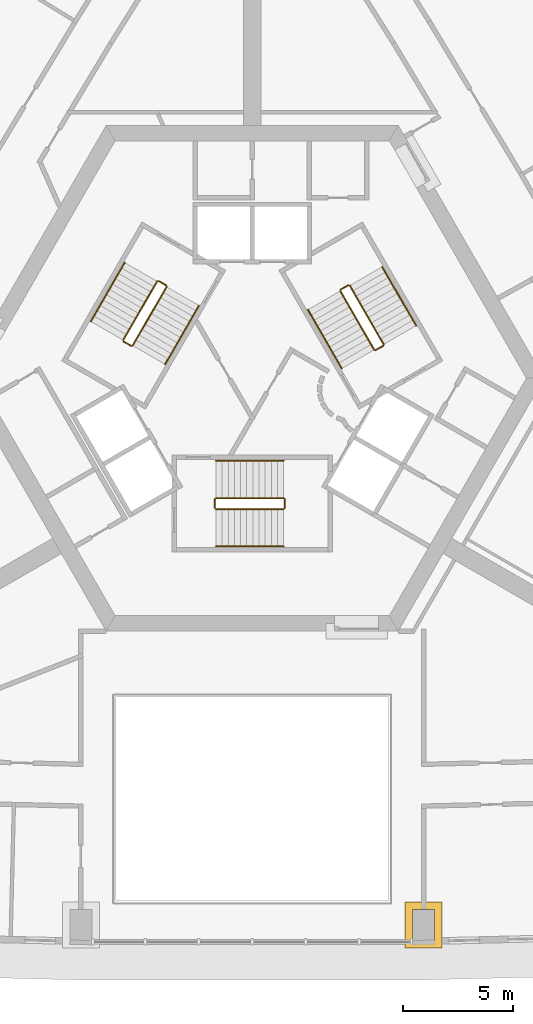
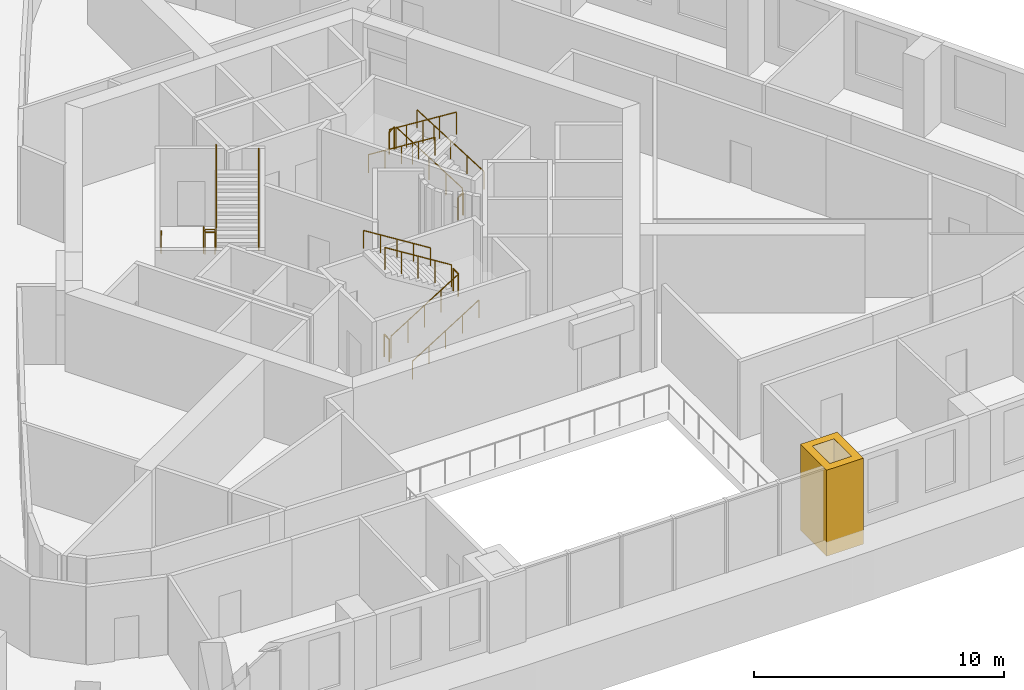
# One storey, part 12 of 13: 18 railings, 1 covering.
"""IFC4 building model written with IfcOpenShell, lengths in metres."""

import ifcopenshell
import ifcopenshell.guid

model = None  # the IFC model being written
_history = None  # IfcOwnerHistory: only IFC2X3 demands one
_inside = {}  # id of a spatial element -> (the spatial element, [elements in it])
_under = {}  # id of a project, library or spatial element -> (it, [spatial elements below it])
_declared = {}  # id of a project -> (the project, [libraries it declares])
_typed = {}  # id of a type object -> (the type object, [elements of that type])
_made_of = {}  # id of a material, layer set ... -> (it, [elements and type objects made of it])


def new_model(schema):
    """Start an empty IFC model of exactly this schema.

    Asked for "IFC4X3", IfcOpenShell would pick the latest addendum, in which some entities
    have other attributes; the version numbers below select the first issue.
    IFC2X3 requires an IfcOwnerHistory on every rooted entity: one is made here for all.
    """
    global model, _history
    if schema == "IFC4X3":
        model = ifcopenshell.file(schema_version=(4, 3, 0, 0))
    else:
        model = ifcopenshell.file(schema=schema)
    _inside.clear()
    _under.clear()
    _declared.clear()
    _typed.clear()
    _made_of.clear()
    _history = None
    if model.schema == "IFC2X3":
        org = make("IfcOrganization", Name="unknown")
        user = make(
            "IfcPersonAndOrganization",
            ThePerson=make("IfcPerson", FamilyName="unknown"),
            TheOrganization=org,
        )
        app = make(
            "IfcApplication",
            ApplicationDeveloper=org,
            Version="unknown",
            ApplicationFullName="unknown",
            ApplicationIdentifier="unknown",
        )
        _history = make(
            "IfcOwnerHistory",
            OwningUser=user,
            OwningApplication=app,
            ChangeAction="ADDED",
            CreationDate=0,
        )
    return model


def make(cls, **values):
    """One entity of the class cls with the attributes given. An attribute that is None is left unset."""
    return model.create_entity(
        cls, **{name: value for name, value in values.items() if value is not None}
    )


def rooted(cls, **values):
    """An entity with a GlobalId (a new one), such as an element, a storey or a relation."""
    return make(cls, GlobalId=ifcopenshell.guid.new(), OwnerHistory=_history, **values)


def si_unit(unit_type, name, prefix=None):
    """IfcSIUnit, for example si_unit("LENGTHUNIT", "METRE", prefix="MILLI")."""
    return make("IfcSIUnit", UnitType=unit_type, Prefix=prefix, Name=name)


def assignment(units):
    """IfcUnitAssignment: the units of a project."""
    return None if units is None else make("IfcUnitAssignment", Units=units)


def point(xyz):
    """IfcCartesianPoint."""
    return None if xyz is None else make("IfcCartesianPoint", Coordinates=xyz)


def direction(xyz):
    """IfcDirection."""
    return None if xyz is None else make("IfcDirection", DirectionRatios=xyz)


def frame(location, z_axis=None, x_axis=None):
    """IfcAxis2Placement3D, a coordinate frame: its origin and axes. An axis left out is left unset."""
    return make(
        "IfcAxis2Placement3D",
        Location=point(location),
        Axis=direction(z_axis),
        RefDirection=direction(x_axis),
    )


def frame_2d(location, x_axis=None):
    """IfcAxis2Placement2D, a coordinate frame in the plane: its origin and x axis."""
    return make(
        "IfcAxis2Placement2D", Location=point(location), RefDirection=direction(x_axis)
    )


def origin():
    """The frame at (0, 0, 0) with its axes left unset."""
    return frame((0.0, 0.0, 0.0))


def origin_2d():
    """The frame at (0, 0) in the plane with its x axis left unset."""
    return frame_2d((0.0, 0.0))


def place(relative_to, where):
    """IfcLocalPlacement: puts the frame where relative to a parent placement (None: the world)."""
    return make(
        "IfcLocalPlacement", PlacementRelTo=relative_to, RelativePlacement=where
    )


def context(
    kind, dimensions, precision=None, world=None, true_north=None, identifier=None
):
    """IfcGeometricRepresentationContext, for example the 3D "Model" context."""
    return make(
        "IfcGeometricRepresentationContext",
        ContextIdentifier=identifier,
        ContextType=kind,
        CoordinateSpaceDimension=dimensions,
        Precision=precision,
        WorldCoordinateSystem=world,
        TrueNorth=true_north,
    )


def subcontext(parent, identifier, kind, view, scale=None):
    """IfcGeometricRepresentationSubContext, for example "Body" below "Model"."""
    return make(
        "IfcGeometricRepresentationSubContext",
        ContextIdentifier=identifier,
        ContextType=kind,
        ParentContext=parent,
        TargetScale=scale,
        TargetView=view,
    )


def project(units=None, contexts=None):
    """IfcProject with its units and contexts."""
    return rooted(
        "IfcProject",
        Name="project",
        RepresentationContexts=contexts,
        UnitsInContext=assignment(units),
    )


def spatial(cls, under=None, at=None, **own):
    """A site, building, storey or space (cls), placed at a placement, below another one or the project."""
    s = rooted(cls, ObjectPlacement=at, **own)
    if under is not None:
        _under.setdefault(under.id(), (under, []))[1].append(s)
    return s


def polyline(points):
    """IfcPolyline through the points."""
    return make("IfcPolyline", Points=[point(p) for p in points])


def profile(cls, at=None, kind="AREA", **sizes):
    """A parametric profile (cls). Its sizes go by their IFC names, for example OverallWidth=200.0."""
    return make(cls, ProfileType=kind, Position=at, **sizes)


def circle(**sizes):
    """IfcCircleProfileDef."""
    return profile("IfcCircleProfileDef", **sizes)


def outline(outer, holes=None, kind="AREA"):
    """IfcArbitraryClosedProfileDef: a profile drawn as a closed curve; with holes, ...WithVoids."""
    if holes is None:
        return make("IfcArbitraryClosedProfileDef", ProfileType=kind, OuterCurve=outer)
    return make(
        "IfcArbitraryProfileDefWithVoids",
        ProfileType=kind,
        OuterCurve=outer,
        InnerCurves=holes,
    )


def extrude(swept, where, along, depth):
    """IfcExtrudedAreaSolid: the profile swept, set in the frame where, extruded along a direction by depth."""
    return make(
        "IfcExtrudedAreaSolid",
        SweptArea=swept,
        Position=where,
        ExtrudedDirection=direction(along),
        Depth=depth,
    )


def shape(context_of_items, identifier, shape_type, items):
    """IfcShapeRepresentation: the items that make up one representation, for example the "Body"."""
    return make(
        "IfcShapeRepresentation",
        ContextOfItems=context_of_items,
        RepresentationIdentifier=identifier,
        RepresentationType=shape_type,
        Items=items,
    )


def material(Name=None, Category=None):
    """IfcMaterial."""
    return make("IfcMaterial", Name=Name, Category=Category)


def made_of(thing, what):
    """Note that an element or type object is made of a material, layer set ...; save() writes the relation."""
    if what is not None:
        _made_of.setdefault(what.id(), (what, []))[1].append(thing)
    return thing


def type_object(cls, material=None, **own):
    """A type object (cls), such as IfcWallType, which elements share."""
    return made_of(rooted(cls, **own), material)


def element(
    cls,
    number,
    at=None,
    inside=None,
    cuts=None,
    type_object=None,
    material=None,
    context=None,
    identifier="Body",
    shape_type=None,
    held_by="IfcProductDefinitionShape",
    body=None,
    shapes=None,
    **own,
):
    """One element of the class cls, such as IfcWall. Its Tag is "e" and its number.

    at: its placement. inside: the storey or other place that contains it. cuts: it is an
    opening in that element (IfcRelVoidsElement). A single representation is given by context,
    identifier, shape_type and body (its items); several are given by shapes. held_by: the class
    of the entity that holds the representations. save() writes the other relations.
    """
    e = rooted(cls, Tag="e%d" % number, ObjectPlacement=at, **own)
    if body is not None:
        shapes = [shape(context, identifier, shape_type, body)]
    if shapes is not None:
        e.Representation = make(held_by, Representations=shapes)
    if inside is not None:
        _inside.setdefault(inside.id(), (inside, []))[1].append(e)
    if cuts is not None:
        rooted(
            "IfcRelVoidsElement", RelatingBuildingElement=cuts, RelatedOpeningElement=e
        )
    if type_object is not None:
        _typed.setdefault(type_object.id(), (type_object, []))[1].append(e)
    return made_of(e, material)


def aggregate(whole, parts):
    """IfcRelAggregates: a whole, such as a stair, and the parts it consists of."""
    return rooted("IfcRelAggregates", RelatingObject=whole, RelatedObjects=parts)


def save(model, path):
    """Write the relations noted so far, then the file.

    IfcRelAggregates (storeys below a building ...), IfcRelContainedInSpatialStructure (elements
    in a storey), IfcRelDefinesByType, IfcRelAssociatesMaterial and IfcRelDeclares: one each for
    every whole, place, type object, material and project.
    """
    for whole, parts in _under.values():
        aggregate(whole, parts)
    for where, things in _inside.values():
        rooted(
            "IfcRelContainedInSpatialStructure",
            RelatedElements=things,
            RelatingStructure=where,
        )
    for kind, things in _typed.values():
        rooted("IfcRelDefinesByType", RelatedObjects=things, RelatingType=kind)
    for what, things in _made_of.values():
        rooted("IfcRelAssociatesMaterial", RelatedObjects=things, RelatingMaterial=what)
    for by, libraries in _declared.values():
        rooted("IfcRelDeclares", RelatingContext=by, RelatedDefinitions=libraries)
    model.write(path)


model = new_model("IFC4")

# Units and contexts
model_context = context("Model", 3, precision=1e-05, world=origin(), true_north=direction((0.0, 1.0)))
body_context = subcontext(model_context, "Body", "Model", "MODEL_VIEW")
ifc_project = project(units=[si_unit("LENGTHUNIT", "METRE"), si_unit("AREAUNIT", "SQUARE_METRE"), si_unit("VOLUMEUNIT", "CUBIC_METRE"), si_unit("PLANEANGLEUNIT", "RADIAN"), si_unit("MASSUNIT", "GRAM", prefix="KILO")], contexts=[model_context])

# Site, building, storey
site_placement = place(None, origin())
site = spatial("IfcSite", under=ifc_project, at=site_placement, CompositionType="ELEMENT")
building_placement = place(site_placement, origin())
building = spatial("IfcBuilding", under=site, at=building_placement, Name="Entoto Arch Interchange Tower", CompositionType="ELEMENT")
storey_placement = place(building_placement, frame((0.0, 0.0, 219.199951171875)))
storey = spatial("IfcBuildingStorey", under=building, at=storey_placement, Name="L49", CompositionType="ELEMENT", Elevation=219.199951171875)

# Covering
ifc_material_1 = material(Name="Board-marked precast concrete C50/60", Category="concrete")
covering_type = type_object("IfcCoveringType", Name="PRECAST FRAME COURSE", PredefinedType="CLADDING", material=ifc_material_1)
covering_placement = place(storey_placement, frame((0.0, 0.0, -0.39990234375)))
element("IfcCovering", 1, at=covering_placement, inside=storey, type_object=covering_type, Name="Gate pier L49", PredefinedType="CLADDING", context=body_context, shape_type="SweptSolid", body=[
    extrude(outline(polyline([(6.93798828125, -21.31103515625), (8.637939453125, -21.31103515625), (8.637939453125, -23.410888671875), (6.93798828125, -23.410888671875), (6.93798828125, -21.31103515625)]), holes=[polyline([(7.2880859375, -21.660888671875), (7.2880859375, -23.06103515625), (8.2880859375, -23.06103515625), (8.2880859375, -21.660888671875), (7.2880859375, -21.660888671875)])]), origin(), (0.0, 0.0, 1.0), 4.199951171875),
])

# Railings
ifc_material_2 = material(Name="Stainless steel 1.4301", Category="steel")
railing_type_1 = type_object("IfcRailingType", Name="STAIR GUARD 1100 STEEL", PredefinedType="GUARDRAIL", material=ifc_material_2)
railing_1_placement = place(storey_placement, frame((-1.64990234375, -3.449951171875, 0.175048828125)))
element("IfcRailing", 2, at=railing_1_placement, inside=storey, type_object=railing_type_1, Name="L49 ST-S stair guard 1", PredefinedType="GUARDRAIL", context=body_context, shape_type="SweptSolid", body=[
    extrude(circle(Radius=0.02392578125, at=origin_2d()), frame((0.0, 0.0, 1.076171875), z_axis=(0.847979421464, 0.0, 0.530029150871), x_axis=(0.0, 1.0, 0.0)), (0.0, 0.0, 1.0), 3.632080078125),
    extrude(circle(Radius=0.02099609375, at=origin_2d()), origin(), (0.0, 0.0, 1.0), 1.052001953125),
    extrude(circle(Radius=0.02099609375, at=origin_2d()), frame((0.77001953125, 0.0, 0.481201171875)), (0.0, 0.0, 1.0), 1.052001953125),
    extrude(circle(Radius=0.02099609375, at=origin_2d()), frame((1.5400390625, 0.0, 0.96240234375)), (0.0, 0.0, 1.0), 1.052001953125),
    extrude(circle(Radius=0.02099609375, at=origin_2d()), frame((2.309814453125, 0.0, 1.44384765625)), (0.0, 0.0, 1.0), 1.052001953125),
    extrude(circle(Radius=0.02099609375, at=origin_2d()), frame((3.079833984375, 0.0, 1.925048828125)), (0.0, 0.0, 1.0), 1.052001953125),
])
railing_2_placement = place(storey_placement, frame((1.47998046875, -3.39990234375, 2.10009765625)))
element("IfcRailing", 3, at=railing_2_placement, inside=storey, type_object=railing_type_1, Name="L49 ST-S stair guard 2", PredefinedType="GUARDRAIL", context=body_context, shape_type="SweptSolid", body=[
    extrude(circle(Radius=0.02392578125, at=origin_2d()), frame((0.0, 0.0, 1.076171875), z_axis=(0.0, 1.0, 0.0), x_axis=(-1.0, 0.0, 0.0)), (0.0, 0.0, 1.0), 0.39990234375),
    extrude(circle(Radius=0.02099609375, at=origin_2d()), origin(), (0.0, 0.0, 1.0), 1.052001953125),
    extrude(circle(Radius=0.02099609375, at=origin_2d()), frame((0.0, 0.39990234375, 0.0)), (0.0, 0.0, 1.0), 1.052001953125),
])
railing_3_placement = place(storey_placement, frame((1.429931640625, -2.949951171875, 2.275146484375)))
element("IfcRailing", 4, at=railing_3_placement, inside=storey, type_object=railing_type_1, Name="L49 ST-S stair guard 3", PredefinedType="GUARDRAIL", context=body_context, shape_type="SweptSolid", body=[
    extrude(circle(Radius=0.02392578125, at=origin_2d()), frame((0.0, 0.0, 1.076171875), z_axis=(-0.848009633417, 0.0, 0.529980812513), x_axis=(0.0, -1.0, 0.0)), (0.0, 0.0, 1.0), 3.6318359375),
    extrude(circle(Radius=0.02099609375, at=origin_2d()), origin(), (0.0, 0.0, 1.0), 1.052001953125),
    extrude(circle(Radius=0.02099609375, at=origin_2d()), frame((-0.77001953125, 0.0, 0.481201171875)), (0.0, 0.0, 1.0), 1.052001953125),
    extrude(circle(Radius=0.02099609375, at=origin_2d()), frame((-1.5400390625, 0.0, 0.96240234375)), (0.0, 0.0, 1.0), 1.052001953125),
    extrude(circle(Radius=0.02099609375, at=origin_2d()), frame((-2.309814453125, 0.0, 1.443603515625)), (0.0, 0.0, 1.0), 1.052001953125),
    extrude(circle(Radius=0.02099609375, at=origin_2d()), frame((-3.079833984375, 0.0, 1.9248046875)), (0.0, 0.0, 1.0), 1.052001953125),
])
railing_4_placement = place(storey_placement, frame((-1.699951171875, -3.39990234375, 0.0)))
element("IfcRailing", 5, at=railing_4_placement, inside=storey, type_object=railing_type_1, Name="L49 ST-S stair guard 4", PredefinedType="GUARDRAIL", context=body_context, shape_type="SweptSolid", body=[
    extrude(circle(Radius=0.02392578125, at=origin_2d()), frame((0.0, 0.0, 1.076171875), z_axis=(0.0, 1.0, 0.0), x_axis=(-1.0, 0.0, 0.0)), (0.0, 0.0, 1.0), 0.39990234375),
    extrude(circle(Radius=0.02099609375, at=origin_2d()), origin(), (0.0, 0.0, 1.0), 1.052001953125),
    extrude(circle(Radius=0.02099609375, at=origin_2d()), frame((0.0, 0.39990234375, 0.0)), (0.0, 0.0, 1.0), 1.052001953125),
])
railing_5_placement = place(storey_placement, frame((5.977783203125, 4.046142578125, 0.175048828125)))
element("IfcRailing", 6, at=railing_5_placement, inside=storey, type_object=railing_type_1, Name="L49 ST-NE stair guard 1", PredefinedType="GUARDRAIL", context=body_context, shape_type="SweptSolid", body=[
    extrude(circle(Radius=0.02392578125, at=origin_2d()), frame((0.0, 0.0, 1.076171875), z_axis=(-0.424015404183, 0.734364028329, 0.530019255228), x_axis=(-0.866010015463, -0.500026652407, 0.0)), (0.0, 0.0, 1.0), 3.632080078125),
    extrude(circle(Radius=0.02099609375, at=origin_2d()), origin(), (0.0, 0.0, 1.0), 1.052001953125),
    extrude(circle(Radius=0.02099609375, at=origin_2d()), frame((-0.385009765625, 0.666748046875, 0.481201171875)), (0.0, 0.0, 1.0), 1.052001953125),
    extrude(circle(Radius=0.02099609375, at=origin_2d()), frame((-0.77001953125, 1.33349609375, 0.96240234375)), (0.0, 0.0, 1.0), 1.052001953125),
    extrude(circle(Radius=0.02099609375, at=origin_2d()), frame((-1.155029296875, 2.00048828125, 1.44384765625)), (0.0, 0.0, 1.0), 1.052001953125),
    extrude(circle(Radius=0.02099609375, at=origin_2d()), frame((-1.5400390625, 2.667236328125, 1.925048828125)), (0.0, 0.0, 1.0), 1.052001953125),
])
railing_6_placement = place(storey_placement, frame((4.36962890625, 6.731689453125, 2.10009765625)))
element("IfcRailing", 7, at=railing_6_placement, inside=storey, type_object=railing_type_1, Name="L49 ST-NE stair guard 2", PredefinedType="GUARDRAIL", context=body_context, shape_type="SweptSolid", body=[
    extrude(circle(Radius=0.02392578125, at=origin_2d()), frame((0.0, 0.0, 1.076171875), z_axis=(-0.866094119867, -0.499880961361, 0.0), x_axis=(0.499880961361, -0.866094119867, 0.0)), (0.0, 0.0, 1.0), 0.39990234375),
    extrude(circle(Radius=0.02099609375, at=origin_2d()), origin(), (0.0, 0.0, 1.0), 1.052001953125),
    extrude(circle(Radius=0.02099609375, at=origin_2d()), frame((-0.346435546875, -0.199951171875, 0.0)), (0.0, 0.0, 1.0), 1.052001953125),
])
railing_7_placement = place(storey_placement, frame((4.0048828125, 6.46337890625, 2.275146484375)))
element("IfcRailing", 8, at=railing_7_placement, inside=storey, type_object=railing_type_1, Name="L49 ST-NE stair guard 3", PredefinedType="GUARDRAIL", context=body_context, shape_type="SweptSolid", body=[
    extrude(circle(Radius=0.02392578125, at=origin_2d()), frame((0.0, 0.0, 1.076171875), z_axis=(0.42403051051, -0.734390191396, 0.529970917068), x_axis=(0.866010015463, 0.500026652407, 0.0)), (0.0, 0.0, 1.0), 3.6318359375),
    extrude(circle(Radius=0.02099609375, at=origin_2d()), origin(), (0.0, 0.0, 1.0), 1.052001953125),
    extrude(circle(Radius=0.02099609375, at=origin_2d()), frame((0.385009765625, -0.666748046875, 0.481201171875)), (0.0, 0.0, 1.0), 1.052001953125),
    extrude(circle(Radius=0.02099609375, at=origin_2d()), frame((0.77001953125, -1.33349609375, 0.96240234375)), (0.0, 0.0, 1.0), 1.052001953125),
    extrude(circle(Radius=0.02099609375, at=origin_2d()), frame((1.155029296875, -2.00048828125, 1.443603515625)), (0.0, 0.0, 1.0), 1.052001953125),
    extrude(circle(Radius=0.02099609375, at=origin_2d()), frame((1.5400390625, -2.667236328125, 1.9248046875)), (0.0, 0.0, 1.0), 1.052001953125),
])
railing_8_placement = place(storey_placement, frame((5.95947265625, 3.977783203125, 0.0)))
element("IfcRailing", 9, at=railing_8_placement, inside=storey, type_object=railing_type_1, Name="L49 ST-NE stair guard 4", PredefinedType="GUARDRAIL", context=body_context, shape_type="SweptSolid", body=[
    extrude(circle(Radius=0.02392578125, at=origin_2d()), frame((0.0, 0.0, 1.076171875), z_axis=(-0.866094119867, -0.499880961361, 0.0), x_axis=(0.499880961361, -0.866094119867, 0.0)), (0.0, 0.0, 1.0), 0.39990234375),
    extrude(circle(Radius=0.02099609375, at=origin_2d()), origin(), (0.0, 0.0, 1.0), 1.052001953125),
    extrude(circle(Radius=0.02099609375, at=origin_2d()), frame((-0.346435546875, -0.199951171875, 0.0)), (0.0, 0.0, 1.0), 1.052001953125),
])
railing_9_placement = place(storey_placement, frame((-4.327880859375, 6.904052734375, 0.175048828125)))
element("IfcRailing", 10, at=railing_9_placement, inside=storey, type_object=railing_type_1, Name="L49 ST-NW stair guard 1", PredefinedType="GUARDRAIL", context=body_context, shape_type="SweptSolid", body=[
    extrude(circle(Radius=0.02392578125, at=origin_2d()), frame((0.0, 0.0, 1.076171875), z_axis=(-0.423994474112, -0.734394994316, 0.52999309264), x_axis=(0.866029832698, -0.499992328818, 0.0)), (0.0, 0.0, 1.0), 3.63232421875),
    extrude(circle(Radius=0.02099609375, at=origin_2d()), origin(), (0.0, 0.0, 1.0), 1.052001953125),
    extrude(circle(Radius=0.02099609375, at=origin_2d()), frame((-0.385009765625, -0.6669921875, 0.481201171875)), (0.0, 0.0, 1.0), 1.052001953125),
    extrude(circle(Radius=0.02099609375, at=origin_2d()), frame((-0.77001953125, -1.333740234375, 0.96240234375)), (0.0, 0.0, 1.0), 1.052001953125),
    extrude(circle(Radius=0.02099609375, at=origin_2d()), frame((-1.155029296875, -2.00048828125, 1.44384765625)), (0.0, 0.0, 1.0), 1.052001953125),
    extrude(circle(Radius=0.02099609375, at=origin_2d()), frame((-1.5400390625, -2.66748046875, 1.925048828125)), (0.0, 0.0, 1.0), 1.052001953125),
])
railing_10_placement = place(storey_placement, frame((-5.849609375, 4.168212890625, 2.10009765625)))
element("IfcRailing", 11, at=railing_10_placement, inside=storey, type_object=railing_type_1, Name="L49 ST-NW stair guard 2", PredefinedType="GUARDRAIL", context=body_context, shape_type="SweptSolid", body=[
    extrude(circle(Radius=0.02392578125, at=origin_2d()), frame((0.0, 0.0, 1.076171875), z_axis=(0.866094119867, -0.499880961361, 0.0), x_axis=(0.499880961361, 0.866094119867, 0.0)), (0.0, 0.0, 1.0), 0.39990234375),
    extrude(circle(Radius=0.02099609375, at=origin_2d()), origin(), (0.0, 0.0, 1.0), 1.052001953125),
    extrude(circle(Radius=0.02099609375, at=origin_2d()), frame((0.346435546875, -0.199951171875, 0.0)), (0.0, 0.0, 1.0), 1.052001953125),
])
railing_11_placement = place(storey_placement, frame((-5.434814453125, 3.986572265625, 2.275146484375)))
element("IfcRailing", 12, at=railing_11_placement, inside=storey, type_object=railing_type_1, Name="L49 ST-NW stair guard 3", PredefinedType="GUARDRAIL", context=body_context, shape_type="SweptSolid", body=[
    extrude(circle(Radius=0.02392578125, at=origin_2d()), frame((0.0, 0.0, 1.076171875), z_axis=(0.424009578203, 0.734421155904, 0.529944755001), x_axis=(-0.866029832698, 0.499992328818, 0.0)), (0.0, 0.0, 1.0), 3.632080078125),
    extrude(circle(Radius=0.02099609375, at=origin_2d()), origin(), (0.0, 0.0, 1.0), 1.052001953125),
    extrude(circle(Radius=0.02099609375, at=origin_2d()), frame((0.385009765625, 0.6669921875, 0.481201171875)), (0.0, 0.0, 1.0), 1.052001953125),
    extrude(circle(Radius=0.02099609375, at=origin_2d()), frame((0.77001953125, 1.333740234375, 0.96240234375)), (0.0, 0.0, 1.0), 1.052001953125),
    extrude(circle(Radius=0.02099609375, at=origin_2d()), frame((1.155029296875, 2.00048828125, 1.443603515625)), (0.0, 0.0, 1.0), 1.052001953125),
    extrude(circle(Radius=0.02099609375, at=origin_2d()), frame((1.5400390625, 2.66748046875, 1.9248046875)), (0.0, 0.0, 1.0), 1.052001953125),
])
railing_12_placement = place(storey_placement, frame((-4.259521484375, 6.92236328125, 0.0)))
element("IfcRailing", 13, at=railing_12_placement, inside=storey, type_object=railing_type_1, Name="L49 ST-NW stair guard 4", PredefinedType="GUARDRAIL", context=body_context, shape_type="SweptSolid", body=[
    extrude(circle(Radius=0.02392578125, at=origin_2d()), frame((0.0, 0.0, 1.076171875), z_axis=(0.865829829939, -0.500338590944, 0.0), x_axis=(0.500338590944, 0.865829829939, 0.0)), (0.0, 0.0, 1.0), 0.400146484375),
    extrude(circle(Radius=0.02099609375, at=origin_2d()), origin(), (0.0, 0.0, 1.0), 1.052001953125),
    extrude(circle(Radius=0.02099609375, at=origin_2d()), frame((0.346435546875, -0.2001953125, 0.0)), (0.0, 0.0, 1.0), 1.052001953125),
])
railing_type_2 = type_object("IfcRailingType", Name="STAIR HANDRAIL 900 STEEL", PredefinedType="HANDRAIL", material=ifc_material_2)
railing_13_placement = place(storey_placement, frame((-1.64990234375, -5.14990234375, 0.175048828125)))
element("IfcRailing", 14, at=railing_13_placement, inside=storey, type_object=railing_type_2, Name="L49 ST-S stair handrail 1", PredefinedType="HANDRAIL", context=body_context, shape_type="SweptSolid", body=[
    extrude(circle(Radius=0.02392578125, at=origin_2d()), frame((0.0, 0.0, 0.8759765625), z_axis=(0.847979421464, 0.0, 0.530029150871), x_axis=(0.0, 1.0, 0.0)), (0.0, 0.0, 1.0), 3.632080078125),
    extrude(circle(Radius=0.02099609375, at=origin_2d()), origin(), (0.0, 0.0, 1.0), 0.851806640625),
    extrude(circle(Radius=0.02099609375, at=origin_2d()), frame((0.77001953125, 0.0, 0.481201171875)), (0.0, 0.0, 1.0), 0.851806640625),
    extrude(circle(Radius=0.02099609375, at=origin_2d()), frame((1.5400390625, 0.0, 0.96240234375)), (0.0, 0.0, 1.0), 0.851806640625),
    extrude(circle(Radius=0.02099609375, at=origin_2d()), frame((2.309814453125, 0.0, 1.44384765625)), (0.0, 0.0, 1.0), 0.851806640625),
    extrude(circle(Radius=0.02099609375, at=origin_2d()), frame((3.079833984375, 0.0, 1.925048828125)), (0.0, 0.0, 1.0), 0.851806640625),
])
railing_14_placement = place(storey_placement, frame((1.429931640625, -1.25, 2.275146484375)))
element("IfcRailing", 15, at=railing_14_placement, inside=storey, type_object=railing_type_2, Name="L49 ST-S stair handrail 2", PredefinedType="HANDRAIL", context=body_context, shape_type="SweptSolid", body=[
    extrude(circle(Radius=0.02392578125, at=origin_2d()), frame((0.0, 0.0, 0.8759765625), z_axis=(-0.848009633417, 0.0, 0.529980812513), x_axis=(0.0, -1.0, 0.0)), (0.0, 0.0, 1.0), 3.6318359375),
    extrude(circle(Radius=0.02099609375, at=origin_2d()), origin(), (0.0, 0.0, 1.0), 0.851806640625),
    extrude(circle(Radius=0.02099609375, at=origin_2d()), frame((-0.77001953125, 0.0, 0.481201171875)), (0.0, 0.0, 1.0), 0.851806640625),
    extrude(circle(Radius=0.02099609375, at=origin_2d()), frame((-1.5400390625, 0.0, 0.96240234375)), (0.0, 0.0, 1.0), 0.851806640625),
    extrude(circle(Radius=0.02099609375, at=origin_2d()), frame((-2.309814453125, 0.0, 1.443603515625)), (0.0, 0.0, 1.0), 0.851806640625),
    extrude(circle(Radius=0.02099609375, at=origin_2d()), frame((-3.079833984375, 0.0, 1.9248046875)), (0.0, 0.0, 1.0), 0.851806640625),
])
railing_15_placement = place(storey_placement, frame((7.4501953125, 4.89599609375, 0.175048828125)))
element("IfcRailing", 16, at=railing_15_placement, inside=storey, type_object=railing_type_2, Name="L49 ST-NE stair handrail 1", PredefinedType="HANDRAIL", context=body_context, shape_type="SweptSolid", body=[
    extrude(circle(Radius=0.02392578125, at=origin_2d()), frame((0.0, 0.0, 0.8759765625), z_axis=(-0.423994474112, 0.734394994316, 0.52999309264), x_axis=(-0.866029832698, -0.499992328818, 0.0)), (0.0, 0.0, 1.0), 3.63232421875),
    extrude(circle(Radius=0.02099609375, at=origin_2d()), origin(), (0.0, 0.0, 1.0), 0.851806640625),
    extrude(circle(Radius=0.02099609375, at=origin_2d()), frame((-0.385009765625, 0.6669921875, 0.481201171875)), (0.0, 0.0, 1.0), 0.851806640625),
    extrude(circle(Radius=0.02099609375, at=origin_2d()), frame((-0.77001953125, 1.333740234375, 0.96240234375)), (0.0, 0.0, 1.0), 0.851806640625),
    extrude(circle(Radius=0.02099609375, at=origin_2d()), frame((-1.155029296875, 2.00048828125, 1.44384765625)), (0.0, 0.0, 1.0), 0.851806640625),
    extrude(circle(Radius=0.02099609375, at=origin_2d()), frame((-1.5400390625, 2.66748046875, 1.925048828125)), (0.0, 0.0, 1.0), 0.851806640625),
])
railing_16_placement = place(storey_placement, frame((2.53271484375, 5.613525390625, 2.275146484375)))
element("IfcRailing", 17, at=railing_16_placement, inside=storey, type_object=railing_type_2, Name="L49 ST-NE stair handrail 2", PredefinedType="HANDRAIL", context=body_context, shape_type="SweptSolid", body=[
    extrude(circle(Radius=0.02392578125, at=origin_2d()), frame((0.0, 0.0, 0.8759765625), z_axis=(0.423954442778, -0.734442086855, 0.52995985839), x_axis=(0.866064153644, 0.499932877268, 0.0)), (0.0, 0.0, 1.0), 3.632080078125),
    extrude(circle(Radius=0.02099609375, at=origin_2d()), origin(), (0.0, 0.0, 1.0), 0.851806640625),
    extrude(circle(Radius=0.02099609375, at=origin_2d()), frame((0.385009765625, -0.6669921875, 0.481201171875)), (0.0, 0.0, 1.0), 0.851806640625),
    extrude(circle(Radius=0.02099609375, at=origin_2d()), frame((0.77001953125, -1.333740234375, 0.96240234375)), (0.0, 0.0, 1.0), 0.851806640625),
    extrude(circle(Radius=0.02099609375, at=origin_2d()), frame((1.15478515625, -2.00048828125, 1.443603515625)), (0.0, 0.0, 1.0), 0.851806640625),
    extrude(circle(Radius=0.02099609375, at=origin_2d()), frame((1.539794921875, -2.66748046875, 1.9248046875)), (0.0, 0.0, 1.0), 0.851806640625),
])
railing_17_placement = place(storey_placement, frame((-5.800048828125, 7.75390625, 0.175048828125)))
element("IfcRailing", 18, at=railing_17_placement, inside=storey, type_object=railing_type_2, Name="L49 ST-NW stair handrail 1", PredefinedType="HANDRAIL", context=body_context, shape_type="SweptSolid", body=[
    extrude(circle(Radius=0.02392578125, at=origin_2d()), frame((0.0, 0.0, 0.8759765625), z_axis=(-0.424015404183, -0.734364028329, 0.530019255228), x_axis=(0.866010015463, -0.500026652407, 0.0)), (0.0, 0.0, 1.0), 3.632080078125),
    extrude(circle(Radius=0.02099609375, at=origin_2d()), origin(), (0.0, 0.0, 1.0), 0.851806640625),
    extrude(circle(Radius=0.02099609375, at=origin_2d()), frame((-0.385009765625, -0.666748046875, 0.481201171875)), (0.0, 0.0, 1.0), 0.851806640625),
    extrude(circle(Radius=0.02099609375, at=origin_2d()), frame((-0.77001953125, -1.33349609375, 0.96240234375)), (0.0, 0.0, 1.0), 0.851806640625),
    extrude(circle(Radius=0.02099609375, at=origin_2d()), frame((-1.155029296875, -2.00048828125, 1.44384765625)), (0.0, 0.0, 1.0), 0.851806640625),
    extrude(circle(Radius=0.02099609375, at=origin_2d()), frame((-1.5400390625, -2.667236328125, 1.925048828125)), (0.0, 0.0, 1.0), 0.851806640625),
])
railing_18_placement = place(storey_placement, frame((-3.962646484375, 3.136474609375, 2.275146484375)))
element("IfcRailing", 19, at=railing_18_placement, inside=storey, type_object=railing_type_2, Name="L49 ST-NW stair handrail 2", PredefinedType="HANDRAIL", context=body_context, shape_type="SweptSolid", body=[
    extrude(circle(Radius=0.02392578125, at=origin_2d()), frame((0.0, 0.0, 0.8759765625), z_axis=(0.424009578203, 0.734421155904, 0.529944755001), x_axis=(-0.866029832698, 0.499992328818, 0.0)), (0.0, 0.0, 1.0), 3.632080078125),
    extrude(circle(Radius=0.02099609375, at=origin_2d()), origin(), (0.0, 0.0, 1.0), 0.851806640625),
    extrude(circle(Radius=0.02099609375, at=origin_2d()), frame((0.385009765625, 0.6669921875, 0.481201171875)), (0.0, 0.0, 1.0), 0.851806640625),
    extrude(circle(Radius=0.02099609375, at=origin_2d()), frame((0.77001953125, 1.333740234375, 0.96240234375)), (0.0, 0.0, 1.0), 0.851806640625),
    extrude(circle(Radius=0.02099609375, at=origin_2d()), frame((1.155029296875, 2.00048828125, 1.443603515625)), (0.0, 0.0, 1.0), 0.851806640625),
    extrude(circle(Radius=0.02099609375, at=origin_2d()), frame((1.5400390625, 2.66748046875, 1.9248046875)), (0.0, 0.0, 1.0), 0.851806640625),
])

save(model, "model.ifc")
